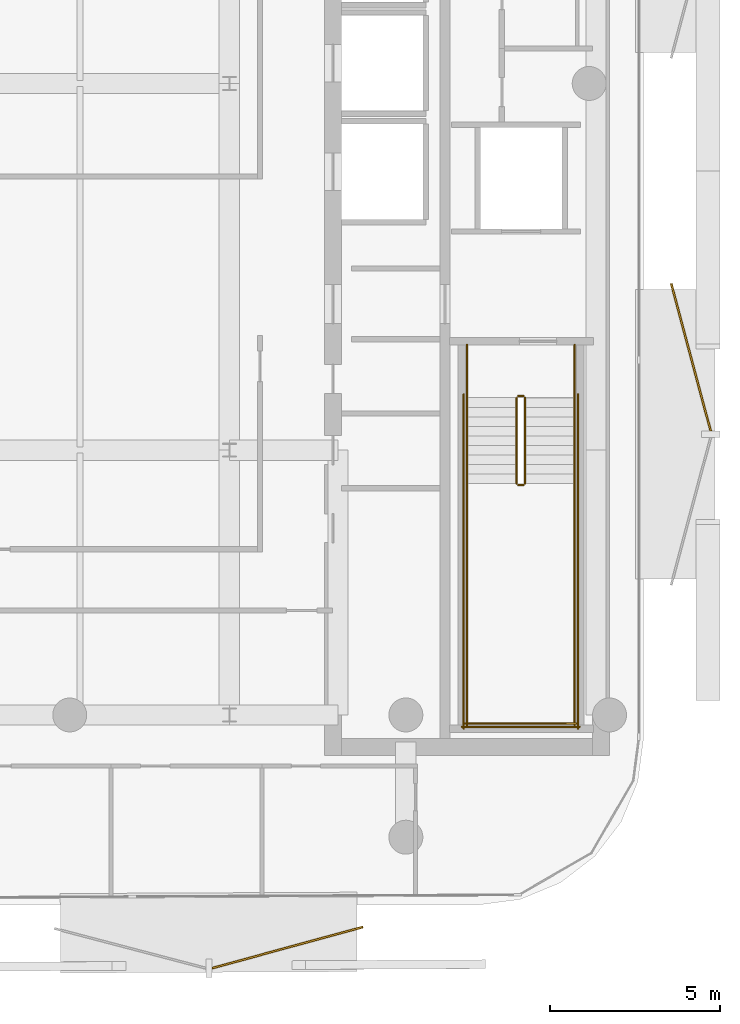
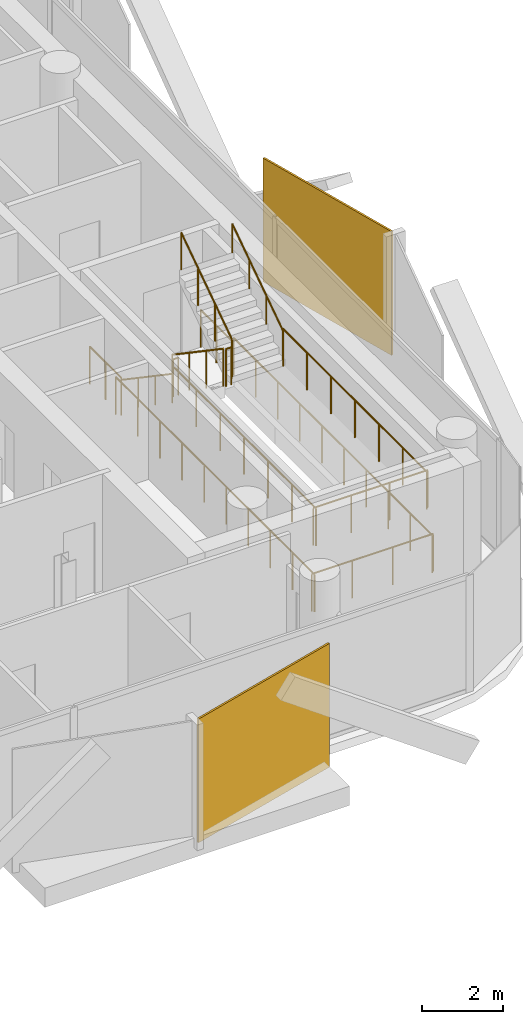
# One storey, part 15 of 16: 14 railings, 2 coverings.
"""IFC4 building model written with IfcOpenShell, lengths in metres."""

from ifc_helpers import new_model, si_unit, direction, frame, origin, origin_2d, place, context, subcontext, project, spatial, rectangle, circle, extrude, material, layer, layer_set, type_object, element, save


model = new_model("IFC4")

# Units and contexts
model_context = context("Model", 3, precision=1e-05, world=origin(), true_north=direction((0.0, 1.0)))
body_context = subcontext(model_context, "Body", "Model", "MODEL_VIEW")
ifc_project = project(units=[si_unit("LENGTHUNIT", "METRE"), si_unit("AREAUNIT", "SQUARE_METRE"), si_unit("VOLUMEUNIT", "CUBIC_METRE"), si_unit("PLANEANGLEUNIT", "RADIAN"), si_unit("MASSUNIT", "GRAM", prefix="KILO")], contexts=[model_context])

# Site, building, storey
site_placement = place(None, origin())
site = spatial("IfcSite", under=ifc_project, at=site_placement, CompositionType="ELEMENT")
building_placement = place(site_placement, origin())
building = spatial("IfcBuilding", under=site, at=building_placement, Name="Khairoan Windgate Tower", CompositionType="ELEMENT")
storey_placement = place(building_placement, frame((0.0, 0.0, 277.60009765625)))
storey = spatial("IfcBuildingStorey", under=building, at=storey_placement, Name="L66", CompositionType="ELEMENT", Elevation=277.60009765625)

# Coverings
ifc_material_1 = material(Name="Anodised Bronze Aluminium 6063-T6", Category="aluminium")
ifc_layer = layer(ifc_material_1, 0.054931640625, Name="Anodised Bronze Aluminium 6063-T6")
ifc_layer_set = layer_set([ifc_layer], Name="Anodised Bronze Aluminium 6063-T6")
covering_type = type_object("IfcCoveringType", Name="Perforated Bronze-Ceramic Folded Solar Screen Cladding BSC-1", PredefinedType="CLADDING", material=ifc_layer_set)
covering_1_placement = place(storey_placement, frame((10.91064453125, -25.452880859375, -0.10009765625), z_axis=(0.0, 0.0, 1.0), x_axis=(-0.964695449838, -0.263367972734, 0.0)))
element("IfcCovering", 1, at=covering_1_placement, inside=storey, type_object=covering_type, Name="L66 Folded Bronze Solar Screen Facet 454L", PredefinedType="CLADDING", context=body_context, shape_type="SweptSolid", body=[
    extrude(rectangle(XDim=4.60693359375, YDim=0.054931640625, at=origin_2d()), origin(), (0.0, 0.0, 1.0), 3.739990234375),
])
covering_2_placement = place(storey_placement, frame((22.797607421875, -8.0693359375, -0.10009765625), z_axis=(0.0, 0.0, 1.0), x_axis=(0.258819045103, -0.965925826289, 0.0)))
element("IfcCovering", 2, at=covering_2_placement, inside=storey, type_object=covering_type, Name="L66 Folded Bronze Solar Screen Facet 461L", PredefinedType="CLADDING", context=body_context, shape_type="SweptSolid", body=[
    extrude(rectangle(XDim=4.5, YDim=0.054931640625, at=origin_2d()), origin(), (0.0, 0.0, 1.0), 3.739990234375),
])

# Railings
ifc_material_2 = material(Name="Anodised Bronze Aluminium 6063-T6", Category="aluminium")
railing_type_1 = type_object("IfcRailingType", Name="Stair Wall Handrail SHR-900", PredefinedType="HANDRAIL", material=ifc_material_2)
railing_1_placement = place(storey_placement, frame((16.199951171875, -9.260009765625, 0.18994140625)))
element("IfcRailing", 3, at=railing_1_placement, inside=storey, type_object=railing_type_1, Name="L66 ST1 stair handrail 1", PredefinedType="HANDRAIL", context=body_context, shape_type="SweptSolid", body=[
    extrude(circle(Radius=0.02392578125, at=origin_2d()), frame((0.0, 0.0, 0.8759765625), z_axis=(0.0, -0.827483756001, 0.561489655786), x_axis=(1.0, 0.0, 0.0)), (0.0, 0.0, 1.0), 3.04541015625),
    extrude(circle(Radius=0.02099609375, at=origin_2d()), origin(), (0.0, 0.0, 1.0), 0.851806640625),
    extrude(circle(Radius=0.02099609375, at=origin_2d()), frame((0.0, -0.840087890625, 0.570068359375)), (0.0, 0.0, 1.0), 0.851806640625),
    extrude(circle(Radius=0.02099609375, at=origin_2d()), frame((0.0, -1.679931640625, 1.139892578125)), (0.0, 0.0, 1.0), 0.851806640625),
    extrude(circle(Radius=0.02099609375, at=origin_2d()), frame((0.0, -2.52001953125, 1.7099609375)), (0.0, 0.0, 1.0), 0.851806640625),
])
railing_2_placement = place(storey_placement, frame((19.3701171875, -11.780029296875, 2.08984375)))
element("IfcRailing", 4, at=railing_2_placement, inside=storey, type_object=railing_type_1, Name="L66 ST1 stair handrail 2", PredefinedType="HANDRAIL", context=body_context, shape_type="SweptSolid", body=[
    extrude(circle(Radius=0.02392578125, at=origin_2d()), frame((0.0, 0.0, 0.8759765625), z_axis=(0.0, 0.827483756001, 0.561489655786), x_axis=(-1.0, 0.0, 0.0)), (0.0, 0.0, 1.0), 3.04541015625),
    extrude(circle(Radius=0.02099609375, at=origin_2d()), origin(), (0.0, 0.0, 1.0), 0.851806640625),
    extrude(circle(Radius=0.02099609375, at=origin_2d()), frame((0.0, 0.840087890625, 0.570068359375)), (0.0, 0.0, 1.0), 0.851806640625),
    extrude(circle(Radius=0.02099609375, at=origin_2d()), frame((0.0, 1.679931640625, 1.139892578125)), (0.0, 0.0, 1.0), 0.851806640625),
    extrude(circle(Radius=0.02099609375, at=origin_2d()), frame((0.0, 2.52001953125, 1.7099609375)), (0.0, 0.0, 1.0), 0.851806640625),
])
ifc_material_3 = material(Name="Steel S355", Category="steel")
railing_type_2 = type_object("IfcRailingType", Name="Stairwell Safety Guardrail SGR-1150", PredefinedType="GUARDRAIL", material=ifc_material_3)
railing_3_placement = place(storey_placement, frame((17.659912109375, -9.260009765625, 0.18994140625)))
element("IfcRailing", 5, at=railing_3_placement, inside=storey, type_object=railing_type_2, Name="L66 ST1 stair guard 1", PredefinedType="GUARDRAIL", context=body_context, shape_type="SweptSolid", body=[
    extrude(circle(Radius=0.02392578125, at=origin_2d()), frame((0.0, 0.0, 1.1259765625), z_axis=(0.0, -0.827483756001, 0.561489655786), x_axis=(1.0, 0.0, 0.0)), (0.0, 0.0, 1.0), 3.04541015625),
    extrude(circle(Radius=0.02099609375, at=origin_2d()), origin(), (0.0, 0.0, 1.0), 1.101806640625),
    extrude(circle(Radius=0.02099609375, at=origin_2d()), frame((0.0, -0.840087890625, 0.570068359375)), (0.0, 0.0, 1.0), 1.101806640625),
    extrude(circle(Radius=0.02099609375, at=origin_2d()), frame((0.0, -1.679931640625, 1.139892578125)), (0.0, 0.0, 1.0), 1.101806640625),
    extrude(circle(Radius=0.02099609375, at=origin_2d()), frame((0.0, -2.52001953125, 1.7099609375)), (0.0, 0.0, 1.0), 1.101806640625),
])
railing_4_placement = place(storey_placement, frame((17.7099609375, -11.830078125, 1.89990234375)))
element("IfcRailing", 6, at=railing_4_placement, inside=storey, type_object=railing_type_2, Name="L66 ST1 stair guard 2", PredefinedType="GUARDRAIL", context=body_context, shape_type="SweptSolid", body=[
    extrude(circle(Radius=0.02392578125, at=origin_2d()), frame((0.0, 0.0, 1.1259765625), z_axis=(1.0, 0.0, 0.0), x_axis=(0.0, 1.0, 0.0)), (0.0, 0.0, 1.0), 0.150146484375),
    extrude(circle(Radius=0.02099609375, at=origin_2d()), origin(), (0.0, 0.0, 1.0), 1.101806640625),
    extrude(circle(Radius=0.02099609375, at=origin_2d()), frame((0.150146484375, 0.0, 0.0)), (0.0, 0.0, 1.0), 1.101806640625),
])
for number, where, name in (
    (7, (16.199951171875, -11.780029296875, 1.89990234375), "L66 ST1 stair guard 3"),
    (8, (19.3701171875, -11.780029296875, 1.89990234375), "L66 ST1 stair guard 4"),
):
    element("IfcRailing", number, at=place(storey_placement, frame(where)), inside=storey, type_object=railing_type_2, Name=name, PredefinedType="GUARDRAIL", context=body_context, shape_type="SweptSolid", body=[
        extrude(circle(Radius=0.02392578125, at=origin_2d()), frame((0.0, 0.0, 1.1259765625), z_axis=(0.0, -1.0, 0.0), x_axis=(1.0, 0.0, 0.0)), (0.0, 0.0, 1.0), 7.119873046875),
        extrude(circle(Radius=0.02099609375, at=origin_2d()), origin(), (0.0, 0.0, 1.0), 1.101806640625),
        extrude(circle(Radius=0.02099609375, at=origin_2d()), frame((0.0, -1.1865234375, 0.0)), (0.0, 0.0, 1.0), 1.101806640625),
        extrude(circle(Radius=0.02099609375, at=origin_2d()), frame((0.0, -2.373291015625, 0.0)), (0.0, 0.0, 1.0), 1.101806640625),
        extrude(circle(Radius=0.02099609375, at=origin_2d()), frame((0.0, -3.56005859375, 0.0)), (0.0, 0.0, 1.0), 1.101806640625),
        extrude(circle(Radius=0.02099609375, at=origin_2d()), frame((0.0, -4.74658203125, 0.0)), (0.0, 0.0, 1.0), 1.101806640625),
        extrude(circle(Radius=0.02099609375, at=origin_2d()), frame((0.0, -5.93310546875, 0.0)), (0.0, 0.0, 1.0), 1.101806640625),
        extrude(circle(Radius=0.02099609375, at=origin_2d()), frame((0.0, -7.119873046875, 0.0)), (0.0, 0.0, 1.0), 1.101806640625),
    ])
railing_5_placement = place(storey_placement, frame((16.14990234375, -18.85009765625, 1.89990234375)))
element("IfcRailing", 9, at=railing_5_placement, inside=storey, type_object=railing_type_2, Name="L66 ST1 stair guard 5", PredefinedType="GUARDRAIL", context=body_context, shape_type="SweptSolid", body=[
    extrude(circle(Radius=0.02392578125, at=origin_2d()), frame((0.0, 0.0, 1.1259765625), z_axis=(1.0, 0.0, 0.0), x_axis=(0.0, 1.0, 0.0)), (0.0, 0.0, 1.0), 3.27001953125),
    extrude(circle(Radius=0.02099609375, at=origin_2d()), origin(), (0.0, 0.0, 1.0), 1.101806640625),
    extrude(circle(Radius=0.02099609375, at=origin_2d()), frame((1.090087890625, 0.0, 0.0)), (0.0, 0.0, 1.0), 1.101806640625),
    extrude(circle(Radius=0.02099609375, at=origin_2d()), frame((2.179931640625, 0.0, 0.0)), (0.0, 0.0, 1.0), 1.101806640625),
    extrude(circle(Radius=0.02099609375, at=origin_2d()), frame((3.27001953125, 0.0, 0.0)), (0.0, 0.0, 1.0), 1.101806640625),
])
railing_6_placement = place(storey_placement, frame((17.909912109375, -11.780029296875, 2.08984375)))
element("IfcRailing", 10, at=railing_6_placement, inside=storey, type_object=railing_type_2, Name="L66 ST1 stair guard 6", PredefinedType="GUARDRAIL", context=body_context, shape_type="SweptSolid", body=[
    extrude(circle(Radius=0.02392578125, at=origin_2d()), frame((0.0, 0.0, 1.1259765625), z_axis=(0.0, 0.827483756001, 0.561489655786), x_axis=(-1.0, 0.0, 0.0)), (0.0, 0.0, 1.0), 3.04541015625),
    extrude(circle(Radius=0.02099609375, at=origin_2d()), origin(), (0.0, 0.0, 1.0), 1.101806640625),
    extrude(circle(Radius=0.02099609375, at=origin_2d()), frame((0.0, 0.840087890625, 0.570068359375)), (0.0, 0.0, 1.0), 1.101806640625),
    extrude(circle(Radius=0.02099609375, at=origin_2d()), frame((0.0, 1.679931640625, 1.139892578125)), (0.0, 0.0, 1.0), 1.101806640625),
    extrude(circle(Radius=0.02099609375, at=origin_2d()), frame((0.0, 2.52001953125, 1.7099609375)), (0.0, 0.0, 1.0), 1.101806640625),
])
railing_7_placement = place(storey_placement, frame((17.7099609375, -9.2099609375, 0.0)))
element("IfcRailing", 11, at=railing_7_placement, inside=storey, type_object=railing_type_2, Name="L66 ST1 stair guard 7", PredefinedType="GUARDRAIL", context=body_context, shape_type="SweptSolid", body=[
    extrude(circle(Radius=0.02392578125, at=origin_2d()), frame((0.0, 0.0, 1.1259765625), z_axis=(1.0, 0.0, 0.0), x_axis=(0.0, 1.0, 0.0)), (0.0, 0.0, 1.0), 0.150146484375),
    extrude(circle(Radius=0.02099609375, at=origin_2d()), origin(), (0.0, 0.0, 1.0), 1.101806640625),
    extrude(circle(Radius=0.02099609375, at=origin_2d()), frame((0.150146484375, 0.0, 0.0)), (0.0, 0.0, 1.0), 1.101806640625),
])
for number, where, name in (
    (12, (16.199951171875, -7.699951171875, 0.0), "L66 ST1 stair guard 8"),
    (13, (19.3701171875, -7.699951171875, 0.0), "L66 ST1 stair guard 9"),
):
    element("IfcRailing", number, at=place(storey_placement, frame(where)), inside=storey, type_object=railing_type_2, Name=name, PredefinedType="GUARDRAIL", context=body_context, shape_type="SweptSolid", body=[
        extrude(circle(Radius=0.02392578125, at=origin_2d()), frame((0.0, 0.0, 1.1259765625), z_axis=(0.0, -1.0, 0.0), x_axis=(1.0, 0.0, 0.0)), (0.0, 0.0, 1.0), 1.56005859375),
        extrude(circle(Radius=0.02099609375, at=origin_2d()), origin(), (0.0, 0.0, 1.0), 1.101806640625),
        extrude(circle(Radius=0.02099609375, at=origin_2d()), frame((0.0, -0.780029296875, 0.0)), (0.0, 0.0, 1.0), 1.101806640625),
        extrude(circle(Radius=0.02099609375, at=origin_2d()), frame((0.0, -1.56005859375, 0.0)), (0.0, 0.0, 1.0), 1.101806640625),
    ])
for number, where, name in (
    (14, (16.10009765625, -9.159912109375, 0.0), "L66 ST1 stair guard 10"),
    (15, (19.469970703125, -9.159912109375, 0.0), "L66 ST1 stair guard 11"),
):
    element("IfcRailing", number, at=place(storey_placement, frame(where)), inside=storey, type_object=railing_type_2, Name=name, PredefinedType="GUARDRAIL", context=body_context, shape_type="SweptSolid", body=[
        extrude(circle(Radius=0.02392578125, at=origin_2d()), frame((0.0, 0.0, 1.1259765625), z_axis=(0.0, -1.0, 0.0), x_axis=(1.0, 0.0, 0.0)), (0.0, 0.0, 1.0), 9.840087890625),
        extrude(circle(Radius=0.02099609375, at=origin_2d()), origin(), (0.0, 0.0, 1.0), 1.101806640625),
        extrude(circle(Radius=0.02099609375, at=origin_2d()), frame((0.0, -1.09326171875, 0.0)), (0.0, 0.0, 1.0), 1.101806640625),
        extrude(circle(Radius=0.02099609375, at=origin_2d()), frame((0.0, -2.186767578125, 0.0)), (0.0, 0.0, 1.0), 1.101806640625),
        extrude(circle(Radius=0.02099609375, at=origin_2d()), frame((0.0, -3.280029296875, 0.0)), (0.0, 0.0, 1.0), 1.101806640625),
        extrude(circle(Radius=0.02099609375, at=origin_2d()), frame((0.0, -4.373291015625, 0.0)), (0.0, 0.0, 1.0), 1.101806640625),
        extrude(circle(Radius=0.02099609375, at=origin_2d()), frame((0.0, -5.466796875, 0.0)), (0.0, 0.0, 1.0), 1.101806640625),
        extrude(circle(Radius=0.02099609375, at=origin_2d()), frame((0.0, -6.56005859375, 0.0)), (0.0, 0.0, 1.0), 1.101806640625),
        extrude(circle(Radius=0.02099609375, at=origin_2d()), frame((0.0, -7.6533203125, 0.0)), (0.0, 0.0, 1.0), 1.101806640625),
        extrude(circle(Radius=0.02099609375, at=origin_2d()), frame((0.0, -8.746826171875, 0.0)), (0.0, 0.0, 1.0), 1.101806640625),
        extrude(circle(Radius=0.02099609375, at=origin_2d()), frame((0.0, -9.840087890625, 0.0)), (0.0, 0.0, 1.0), 1.101806640625),
    ])
railing_8_placement = place(storey_placement, frame((16.050048828125, -18.949951171875, 0.0)))
element("IfcRailing", 16, at=railing_8_placement, inside=storey, type_object=railing_type_2, Name="L66 ST1 stair guard 12", PredefinedType="GUARDRAIL", context=body_context, shape_type="SweptSolid", body=[
    extrude(circle(Radius=0.02392578125, at=origin_2d()), frame((0.0, 0.0, 1.1259765625), z_axis=(1.0, 0.0, 0.0), x_axis=(0.0, 1.0, 0.0)), (0.0, 0.0, 1.0), 3.469970703125),
    extrude(circle(Radius=0.02099609375, at=origin_2d()), origin(), (0.0, 0.0, 1.0), 1.101806640625),
    extrude(circle(Radius=0.02099609375, at=origin_2d()), frame((1.15673828125, 0.0, 0.0)), (0.0, 0.0, 1.0), 1.101806640625),
    extrude(circle(Radius=0.02099609375, at=origin_2d()), frame((2.313232421875, 0.0, 0.0)), (0.0, 0.0, 1.0), 1.101806640625),
    extrude(circle(Radius=0.02099609375, at=origin_2d()), frame((3.469970703125, 0.0, 0.0)), (0.0, 0.0, 1.0), 1.101806640625),
])

save(model, "model.ifc")
